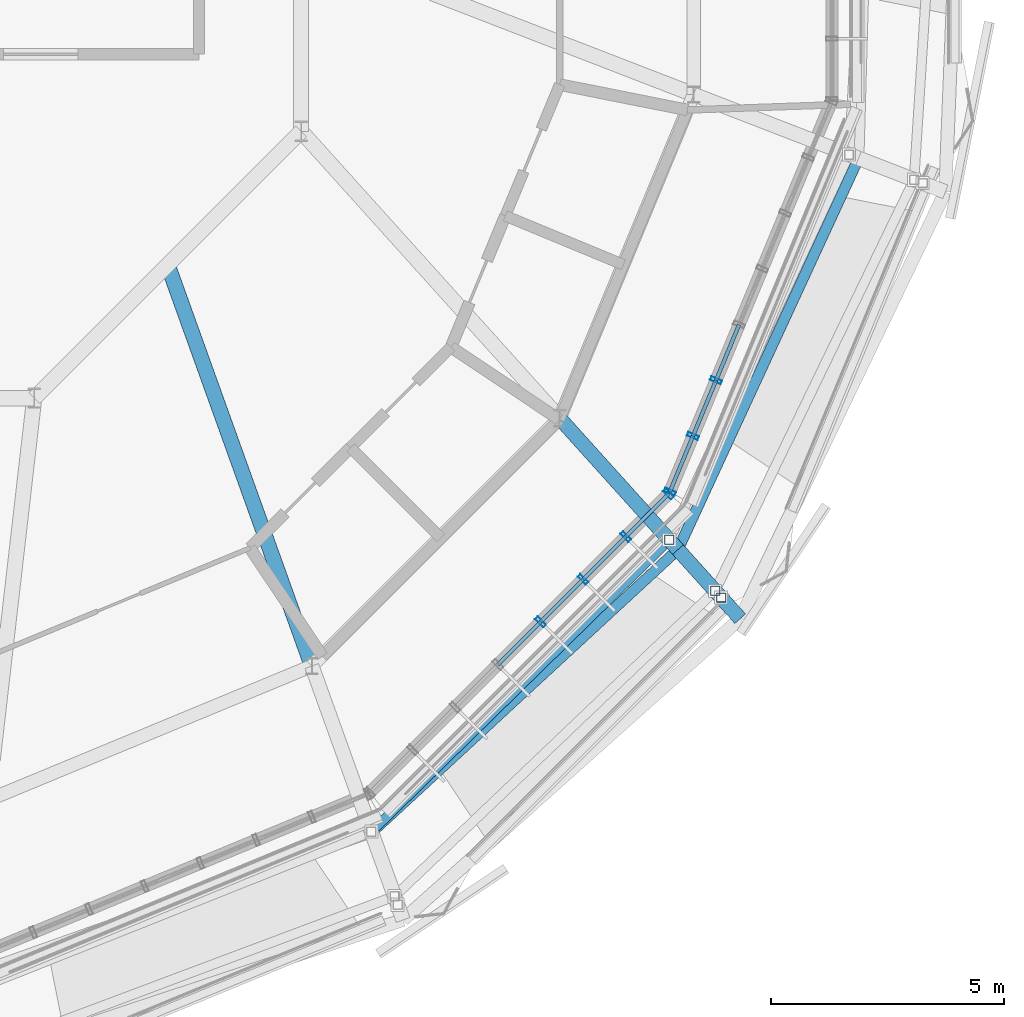
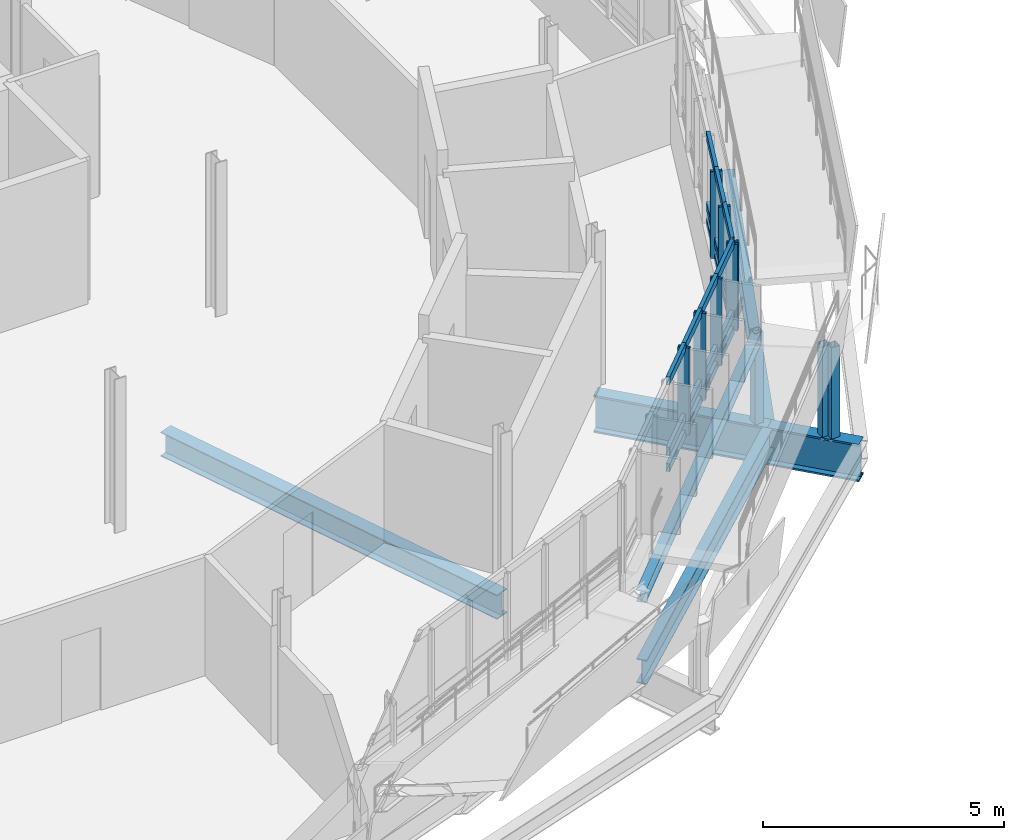
# One storey, part 11 of 38: 31 members, 6 beams, 2 elements without a shape of their own.
"""IFC4 building model written with IfcOpenShell, lengths in metres."""

from ifc_helpers import new_model, si_unit, derived_unit, direction, frame, origin, origin_2d, place, context, subcontext, project, spatial, hollow_rectangle, i_section, extrude, material, layer, layer_set, material_profile, profile_set, type_object, element, aggregate, save


model = new_model("IFC4")

# Units and contexts
model_context = context("Model", 3, precision=1e-05, world=origin(), true_north=direction((0.0, 1.0)))
body_context = subcontext(model_context, "Body", "Model", "MODEL_VIEW")
ifc_project = project(units=[si_unit("LENGTHUNIT", "METRE"), si_unit("AREAUNIT", "SQUARE_METRE"), si_unit("VOLUMEUNIT", "CUBIC_METRE"), si_unit("PLANEANGLEUNIT", "RADIAN"), si_unit("MASSUNIT", "GRAM", prefix="KILO"), derived_unit("THERMALTRANSMITTANCEUNIT", [(si_unit("MASSUNIT", "GRAM", prefix="KILO"), 1), (si_unit("TIMEUNIT", "SECOND"), -3), (si_unit("THERMODYNAMICTEMPERATUREUNIT", "KELVIN"), -1)])], contexts=[model_context])

# Site, building, storey
site_placement = place(None, origin())
site = spatial("IfcSite", under=ifc_project, at=site_placement, CompositionType="ELEMENT")
building_placement = place(site_placement, origin())
building = spatial("IfcBuilding", under=site, at=building_placement, Name="Makaiwela Harbour Ferry Terminal", CompositionType="ELEMENT")
storey_placement = place(building_placement, frame((0.0, 0.0, 17.699951171875)))
storey = spatial("IfcBuildingStorey", under=building, at=storey_placement, Name="L04", CompositionType="ELEMENT", Elevation=17.699951171875)

# Curtain wall, members
ifc_material_1 = material(Name="Marine anodised aluminium 6063-T6", Category="aluminium")
ifc_layer = layer(ifc_material_1, 0.199951171875)
ifc_layer_set = layer_set([ifc_layer], Name="Marine anodised aluminium 6063-T6")
curtain_wall_type = type_object("IfcCurtainWallType", Name="ENV-CW-06", PredefinedType="USERDEFINED", material=ifc_layer_set)
curtain_wall_1_placement = place(storey_placement, origin())
curtain_wall_1 = element("IfcCurtainWall", 1, at=curtain_wall_1_placement, inside=storey, type_object=curtain_wall_type, Name="Unitised Curtain Wall CWA-055", ObjectType="UNITIZED CURTAIN WALL", PredefinedType="USERDEFINED")
ifc_material_profile_1 = material_profile(ifc_material_1, hollow_rectangle(XDim=0.0849609375, YDim=0.25, WallThickness=0.0048828125, at=origin_2d()), Name="CWM-250X85")
ifc_profile_set_1 = profile_set([ifc_material_profile_1], Name="Marine anodised aluminium 6063-T6")
member_type_1 = type_object("IfcMemberType", Name="CW-MUL-250", PredefinedType="MULLION", material=ifc_profile_set_1)
member_1_placement = place(storey_placement, frame((52.736572265625, 52.999755859375, 1.47998046875), z_axis=(0.0, 0.0, 1.0), x_axis=(0.707106781187, 0.707106781187, 0.0)))
member_1 = element("IfcMember", 2, at=member_1_placement, type_object=member_type_1, Name="Curtain Wall Mullion CWA-055-5", PredefinedType="MULLION", context=body_context, shape_type="SweptSolid", body=[
    extrude(hollow_rectangle(XDim=0.0849609375, YDim=0.25, WallThickness=0.0048828125, at=origin_2d()), origin(), (0.0, 0.0, 1.0), 2.199951171875),
])
member_2_placement = place(storey_placement, frame((53.652587890625, 53.916015625, 1.47998046875), z_axis=(0.0, 0.0, 1.0), x_axis=(0.707106781187, 0.707106781187, 0.0)))
member_2 = element("IfcMember", 3, at=member_2_placement, type_object=member_type_1, Name="Curtain Wall Mullion CWA-055-6", PredefinedType="MULLION", context=body_context, shape_type="SweptSolid", body=[
    extrude(hollow_rectangle(XDim=0.0849609375, YDim=0.25, WallThickness=0.0048828125, at=origin_2d()), origin(), (0.0, 0.0, 1.0), 2.199951171875),
])
member_3_placement = place(storey_placement, frame((54.569091796875, 54.832275390625, 1.47998046875), z_axis=(0.0, 0.0, 1.0), x_axis=(0.707106781187, 0.707106781187, 0.0)))
member_3 = element("IfcMember", 4, at=member_3_placement, type_object=member_type_1, Name="Curtain Wall Mullion CWA-055-7", PredefinedType="MULLION", context=body_context, shape_type="SweptSolid", body=[
    extrude(hollow_rectangle(XDim=0.0849609375, YDim=0.25, WallThickness=0.0048828125, at=origin_2d()), origin(), (0.0, 0.0, 1.0), 2.199951171875),
])
member_4_placement = place(storey_placement, frame((55.485107421875, 55.74853515625, 1.47998046875), z_axis=(0.0, 0.0, 1.0), x_axis=(0.707106781187, 0.707106781187, 0.0)))
member_4 = element("IfcMember", 5, at=member_4_placement, type_object=member_type_1, Name="Curtain Wall Mullion CWA-055-8", PredefinedType="MULLION", context=body_context, shape_type="SweptSolid", body=[
    extrude(hollow_rectangle(XDim=0.0849609375, YDim=0.25, WallThickness=0.0048828125, at=origin_2d()), origin(), (0.0, 0.0, 1.0), 2.199951171875),
])

curtain_wall_2_placement = place(storey_placement, origin())
curtain_wall_2 = element("IfcCurtainWall", 6, at=curtain_wall_2_placement, inside=storey, type_object=curtain_wall_type, Name="Unitised Curtain Wall CWA-056", ObjectType="UNITIZED CURTAIN WALL", PredefinedType="USERDEFINED")
member_5_placement = place(storey_placement, frame((55.517822265625, 55.79736328125, 1.47998046875), z_axis=(0.0, 0.0, 1.0), x_axis=(0.382683432365, 0.923879532511, 0.0)))
member_5 = element("IfcMember", 7, at=member_5_placement, type_object=member_type_1, Name="Curtain Wall Mullion CWA-056-1", PredefinedType="MULLION", context=body_context, shape_type="SweptSolid", body=[
    extrude(hollow_rectangle(XDim=0.0849609375, YDim=0.25, WallThickness=0.0048828125, at=origin_2d()), origin(), (0.0, 0.0, 1.0), 2.199951171875),
])
member_6_placement = place(storey_placement, frame((56.013916015625, 56.994384765625, 1.47998046875), z_axis=(0.0, 0.0, 1.0), x_axis=(0.382683432365, 0.923879532511, 0.0)))
member_6 = element("IfcMember", 8, at=member_6_placement, type_object=member_type_1, Name="Curtain Wall Mullion CWA-056-2", PredefinedType="MULLION", context=body_context, shape_type="SweptSolid", body=[
    extrude(hollow_rectangle(XDim=0.0849609375, YDim=0.25, WallThickness=0.0048828125, at=origin_2d()), origin(), (0.0, 0.0, 1.0), 2.199951171875),
])
member_7_placement = place(storey_placement, frame((56.509521484375, 58.191650390625, 1.47998046875), z_axis=(0.0, 0.0, 1.0), x_axis=(0.382683432365, 0.923879532511, 0.0)))
member_7 = element("IfcMember", 9, at=member_7_placement, type_object=member_type_1, Name="Curtain Wall Mullion CWA-056-3", PredefinedType="MULLION", context=body_context, shape_type="SweptSolid", body=[
    extrude(hollow_rectangle(XDim=0.0849609375, YDim=0.25, WallThickness=0.0048828125, at=origin_2d()), origin(), (0.0, 0.0, 1.0), 2.199951171875),
])

# Member
ifc_material_profile_2 = material_profile(ifc_material_1, hollow_rectangle(XDim=0.0849609375, YDim=0.199951171875, WallThickness=0.0048828125, at=origin_2d()), Name="CWT-200X85")
ifc_profile_set_2 = profile_set([ifc_material_profile_2], Name="Marine anodised aluminium 6063-T6")
member_type_2 = type_object("IfcMemberType", Name="CW-TRN-200", PredefinedType="USERDEFINED", material=ifc_profile_set_2)
member_8_placement = place(storey_placement, frame((51.8203125, 52.08349609375, 1.47998046875), z_axis=(0.707106781187, 0.707106781187, 0.0), x_axis=(-0.707106781187, 0.707106781187, 0.0)))
member_8 = element("IfcMember", 10, at=member_8_placement, type_object=member_type_2, Name="Curtain Wall Transom CWA-055-4-1", ObjectType="TRANSOM", PredefinedType="USERDEFINED", context=body_context, shape_type="SweptSolid", body=[
    extrude(hollow_rectangle(XDim=0.0849609375, YDim=0.199951171875, WallThickness=0.0048828125, at=origin_2d()), origin(), (0.0, 0.0, 1.0), 1.2958984375),
])

member_9_placement = place(storey_placement, frame((51.8203125, 52.08349609375, 1.900146484375), z_axis=(0.707106781187, 0.707106781187, 0.0), x_axis=(-0.707106781187, 0.707106781187, 0.0)))
member_9 = element("IfcMember", 11, at=member_9_placement, type_object=member_type_2, Name="Curtain Wall Transom CWA-055-4-2", ObjectType="TRANSOM", PredefinedType="USERDEFINED", context=body_context, shape_type="SweptSolid", body=[
    extrude(hollow_rectangle(XDim=0.0849609375, YDim=0.199951171875, WallThickness=0.0048828125, at=origin_2d()), origin(), (0.0, 0.0, 1.0), 1.2958984375),
])

member_10_placement = place(storey_placement, frame((51.8203125, 52.08349609375, 3.679931640625), z_axis=(0.707106781187, 0.707106781187, 0.0), x_axis=(-0.707106781187, 0.707106781187, 0.0)))
member_10 = element("IfcMember", 12, at=member_10_placement, type_object=member_type_2, Name="Curtain Wall Transom CWA-055-4-3", ObjectType="TRANSOM", PredefinedType="USERDEFINED", context=body_context, shape_type="SweptSolid", body=[
    extrude(hollow_rectangle(XDim=0.0849609375, YDim=0.199951171875, WallThickness=0.0048828125, at=origin_2d()), origin(), (0.0, 0.0, 1.0), 1.2958984375),
])

member_11_placement = place(storey_placement, frame((52.736572265625, 52.999755859375, 1.47998046875), z_axis=(0.707012556818, 0.707200993001, 0.0), x_axis=(-0.707200993001, 0.707012556818, 0.0)))
member_11 = element("IfcMember", 13, at=member_11_placement, type_object=member_type_2, Name="Curtain Wall Transom CWA-055-5-1", ObjectType="TRANSOM", PredefinedType="USERDEFINED", context=body_context, shape_type="SweptSolid", body=[
    extrude(hollow_rectangle(XDim=0.0849609375, YDim=0.199951171875, WallThickness=0.0048828125, at=origin_2d()), origin(), (0.0, 0.0, 1.0), 1.295654296875),
])

member_12_placement = place(storey_placement, frame((52.736572265625, 52.999755859375, 1.900146484375), z_axis=(0.707012556818, 0.707200993001, 0.0), x_axis=(-0.707200993001, 0.707012556818, 0.0)))
member_12 = element("IfcMember", 14, at=member_12_placement, type_object=member_type_2, Name="Curtain Wall Transom CWA-055-5-2", ObjectType="TRANSOM", PredefinedType="USERDEFINED", context=body_context, shape_type="SweptSolid", body=[
    extrude(hollow_rectangle(XDim=0.0849609375, YDim=0.199951171875, WallThickness=0.0048828125, at=origin_2d()), origin(), (0.0, 0.0, 1.0), 1.295654296875),
])

member_13_placement = place(storey_placement, frame((52.736572265625, 52.999755859375, 3.679931640625), z_axis=(0.707012556818, 0.707200993001, 0.0), x_axis=(-0.707200993001, 0.707012556818, 0.0)))
member_13 = element("IfcMember", 15, at=member_13_placement, type_object=member_type_2, Name="Curtain Wall Transom CWA-055-5-3", ObjectType="TRANSOM", PredefinedType="USERDEFINED", context=body_context, shape_type="SweptSolid", body=[
    extrude(hollow_rectangle(XDim=0.0849609375, YDim=0.199951171875, WallThickness=0.0048828125, at=origin_2d()), origin(), (0.0, 0.0, 1.0), 1.295654296875),
])

member_14_placement = place(storey_placement, frame((53.652587890625, 53.916015625, 1.47998046875), z_axis=(0.707200967903, 0.707012581923, 0.0), x_axis=(-0.707012581923, 0.707200967903, 0.0)))
member_14 = element("IfcMember", 16, at=member_14_placement, type_object=member_type_2, Name="Curtain Wall Transom CWA-055-6-1", ObjectType="TRANSOM", PredefinedType="USERDEFINED", context=body_context, shape_type="SweptSolid", body=[
    extrude(hollow_rectangle(XDim=0.0849609375, YDim=0.199951171875, WallThickness=0.0048828125, at=origin_2d()), origin(), (0.0, 0.0, 1.0), 1.2958984375),
])

member_15_placement = place(storey_placement, frame((53.652587890625, 53.916015625, 1.900146484375), z_axis=(0.707200967903, 0.707012581923, 0.0), x_axis=(-0.707012581923, 0.707200967903, 0.0)))
member_15 = element("IfcMember", 17, at=member_15_placement, type_object=member_type_2, Name="Curtain Wall Transom CWA-055-6-2", ObjectType="TRANSOM", PredefinedType="USERDEFINED", context=body_context, shape_type="SweptSolid", body=[
    extrude(hollow_rectangle(XDim=0.0849609375, YDim=0.199951171875, WallThickness=0.0048828125, at=origin_2d()), origin(), (0.0, 0.0, 1.0), 1.2958984375),
])

member_16_placement = place(storey_placement, frame((53.652587890625, 53.916015625, 3.679931640625), z_axis=(0.707200967903, 0.707012581923, 0.0), x_axis=(-0.707012581923, 0.707200967903, 0.0)))
member_16 = element("IfcMember", 18, at=member_16_placement, type_object=member_type_2, Name="Curtain Wall Transom CWA-055-6-3", ObjectType="TRANSOM", PredefinedType="USERDEFINED", context=body_context, shape_type="SweptSolid", body=[
    extrude(hollow_rectangle(XDim=0.0849609375, YDim=0.199951171875, WallThickness=0.0048828125, at=origin_2d()), origin(), (0.0, 0.0, 1.0), 1.2958984375),
])

member_17_placement = place(storey_placement, frame((54.569091796875, 54.832275390625, 1.47998046875), z_axis=(0.707012556818, 0.707200993001, 0.0), x_axis=(-0.707200993001, 0.707012556818, 0.0)))
member_17 = element("IfcMember", 19, at=member_17_placement, type_object=member_type_2, Name="Curtain Wall Transom CWA-055-7-1", ObjectType="TRANSOM", PredefinedType="USERDEFINED", context=body_context, shape_type="SweptSolid", body=[
    extrude(hollow_rectangle(XDim=0.0849609375, YDim=0.199951171875, WallThickness=0.0048828125, at=origin_2d()), origin(), (0.0, 0.0, 1.0), 1.295654296875),
])

member_18_placement = place(storey_placement, frame((54.569091796875, 54.832275390625, 1.900146484375), z_axis=(0.707012556818, 0.707200993001, 0.0), x_axis=(-0.707200993001, 0.707012556818, 0.0)))
member_18 = element("IfcMember", 20, at=member_18_placement, type_object=member_type_2, Name="Curtain Wall Transom CWA-055-7-2", ObjectType="TRANSOM", PredefinedType="USERDEFINED", context=body_context, shape_type="SweptSolid", body=[
    extrude(hollow_rectangle(XDim=0.0849609375, YDim=0.199951171875, WallThickness=0.0048828125, at=origin_2d()), origin(), (0.0, 0.0, 1.0), 1.295654296875),
])

member_19_placement = place(storey_placement, frame((54.569091796875, 54.832275390625, 3.679931640625), z_axis=(0.707012556818, 0.707200993001, 0.0), x_axis=(-0.707200993001, 0.707012556818, 0.0)))
member_19 = element("IfcMember", 21, at=member_19_placement, type_object=member_type_2, Name="Curtain Wall Transom CWA-055-7-3", ObjectType="TRANSOM", PredefinedType="USERDEFINED", context=body_context, shape_type="SweptSolid", body=[
    extrude(hollow_rectangle(XDim=0.0849609375, YDim=0.199951171875, WallThickness=0.0048828125, at=origin_2d()), origin(), (0.0, 0.0, 1.0), 1.295654296875),
])

aggregate(curtain_wall_1, [member_1, member_2, member_3, member_4, member_8, member_9, member_10, member_11, member_12, member_13, member_14, member_15, member_16, member_17, member_18, member_19])

member_20_placement = place(storey_placement, frame((55.517822265625, 55.79736328125, 1.47998046875), z_axis=(0.382862084562, 0.92380551211, 0.0), x_axis=(-0.92380551211, 0.382862084562, 0.0)))
member_20 = element("IfcMember", 22, at=member_20_placement, type_object=member_type_2, Name="Curtain Wall Transom CWA-056-1-1", ObjectType="TRANSOM", PredefinedType="USERDEFINED", context=body_context, shape_type="SweptSolid", body=[
    extrude(hollow_rectangle(XDim=0.0849609375, YDim=0.199951171875, WallThickness=0.0048828125, at=origin_2d()), origin(), (0.0, 0.0, 1.0), 1.295654296875),
])

member_21_placement = place(storey_placement, frame((55.517822265625, 55.79736328125, 1.900146484375), z_axis=(0.382862084562, 0.92380551211, 0.0), x_axis=(-0.92380551211, 0.382862084562, 0.0)))
member_21 = element("IfcMember", 23, at=member_21_placement, type_object=member_type_2, Name="Curtain Wall Transom CWA-056-1-2", ObjectType="TRANSOM", PredefinedType="USERDEFINED", context=body_context, shape_type="SweptSolid", body=[
    extrude(hollow_rectangle(XDim=0.0849609375, YDim=0.199951171875, WallThickness=0.0048828125, at=origin_2d()), origin(), (0.0, 0.0, 1.0), 1.295654296875),
])

member_22_placement = place(storey_placement, frame((55.517822265625, 55.79736328125, 3.679931640625), z_axis=(0.382862084562, 0.92380551211, 0.0), x_axis=(-0.92380551211, 0.382862084562, 0.0)))
member_22 = element("IfcMember", 24, at=member_22_placement, type_object=member_type_2, Name="Curtain Wall Transom CWA-056-1-3", ObjectType="TRANSOM", PredefinedType="USERDEFINED", context=body_context, shape_type="SweptSolid", body=[
    extrude(hollow_rectangle(XDim=0.0849609375, YDim=0.199951171875, WallThickness=0.0048828125, at=origin_2d()), origin(), (0.0, 0.0, 1.0), 1.295654296875),
])

member_23_placement = place(storey_placement, frame((56.013916015625, 56.994384765625, 1.47998046875), z_axis=(0.382473826, 0.923966326456, 0.0), x_axis=(-0.923966326456, 0.382473826, 0.0)))
member_23 = element("IfcMember", 25, at=member_23_placement, type_object=member_type_2, Name="Curtain Wall Transom CWA-056-2-1", ObjectType="TRANSOM", PredefinedType="USERDEFINED", context=body_context, shape_type="SweptSolid", body=[
    extrude(hollow_rectangle(XDim=0.0849609375, YDim=0.199951171875, WallThickness=0.0048828125, at=origin_2d()), origin(), (0.0, 0.0, 1.0), 1.2958984375),
])

member_24_placement = place(storey_placement, frame((56.013916015625, 56.994384765625, 1.900146484375), z_axis=(0.382473826, 0.923966326456, 0.0), x_axis=(-0.923966326456, 0.382473826, 0.0)))
member_24 = element("IfcMember", 26, at=member_24_placement, type_object=member_type_2, Name="Curtain Wall Transom CWA-056-2-2", ObjectType="TRANSOM", PredefinedType="USERDEFINED", context=body_context, shape_type="SweptSolid", body=[
    extrude(hollow_rectangle(XDim=0.0849609375, YDim=0.199951171875, WallThickness=0.0048828125, at=origin_2d()), origin(), (0.0, 0.0, 1.0), 1.2958984375),
])

member_25_placement = place(storey_placement, frame((56.013916015625, 56.994384765625, 3.679931640625), z_axis=(0.382473826, 0.923966326456, 0.0), x_axis=(-0.923966326456, 0.382473826, 0.0)))
member_25 = element("IfcMember", 27, at=member_25_placement, type_object=member_type_2, Name="Curtain Wall Transom CWA-056-2-3", ObjectType="TRANSOM", PredefinedType="USERDEFINED", context=body_context, shape_type="SweptSolid", body=[
    extrude(hollow_rectangle(XDim=0.0849609375, YDim=0.199951171875, WallThickness=0.0048828125, at=origin_2d()), origin(), (0.0, 0.0, 1.0), 1.2958984375),
])

member_26_placement = place(storey_placement, frame((56.509521484375, 58.191650390625, 1.47998046875), z_axis=(0.382862084562, 0.92380551211, 0.0), x_axis=(-0.92380551211, 0.382862084562, 0.0)))
member_26 = element("IfcMember", 28, at=member_26_placement, type_object=member_type_2, Name="Curtain Wall Transom CWA-056-3-1", ObjectType="TRANSOM", PredefinedType="USERDEFINED", context=body_context, shape_type="SweptSolid", body=[
    extrude(hollow_rectangle(XDim=0.0849609375, YDim=0.199951171875, WallThickness=0.0048828125, at=origin_2d()), origin(), (0.0, 0.0, 1.0), 1.295654296875),
])

member_27_placement = place(storey_placement, frame((56.509521484375, 58.191650390625, 1.900146484375), z_axis=(0.382862084562, 0.92380551211, 0.0), x_axis=(-0.92380551211, 0.382862084562, 0.0)))
member_27 = element("IfcMember", 29, at=member_27_placement, type_object=member_type_2, Name="Curtain Wall Transom CWA-056-3-2", ObjectType="TRANSOM", PredefinedType="USERDEFINED", context=body_context, shape_type="SweptSolid", body=[
    extrude(hollow_rectangle(XDim=0.0849609375, YDim=0.199951171875, WallThickness=0.0048828125, at=origin_2d()), origin(), (0.0, 0.0, 1.0), 1.295654296875),
])

member_28_placement = place(storey_placement, frame((56.509521484375, 58.191650390625, 3.679931640625), z_axis=(0.382862084562, 0.92380551211, 0.0), x_axis=(-0.92380551211, 0.382862084562, 0.0)))
member_28 = element("IfcMember", 30, at=member_28_placement, type_object=member_type_2, Name="Curtain Wall Transom CWA-056-3-3", ObjectType="TRANSOM", PredefinedType="USERDEFINED", context=body_context, shape_type="SweptSolid", body=[
    extrude(hollow_rectangle(XDim=0.0849609375, YDim=0.199951171875, WallThickness=0.0048828125, at=origin_2d()), origin(), (0.0, 0.0, 1.0), 1.295654296875),
])

aggregate(curtain_wall_2, [member_5, member_6, member_7, member_20, member_21, member_22, member_23, member_24, member_25, member_26, member_27, member_28])

# Beams
ifc_material_2 = material(Name="Steel ASTM A992 Grade 50", Category="steel")
ifc_material_profile_3 = material_profile(ifc_material_2, i_section(OverallWidth=0.324951171875, OverallDepth=0.615966796875, WebThickness=0.013916015625, FlangeThickness=0.021484375, at=origin_2d()), Name="W24X117")
ifc_profile_set_3 = profile_set([ifc_material_profile_3], Name="Steel ASTM A992 Grade 50")
beam_type_1 = type_object("IfcBeamType", Name="STR-GRD-W24X117", PredefinedType="USERDEFINED", material=ifc_profile_set_3)
beam_1_placement = place(storey_placement, frame((44.724853515625, 60.67529296875, -0.56298828125), z_axis=(0.338086262621, -0.941115125278, 0.0), x_axis=(0.941115125278, 0.338086262621, 0.0)))
element("IfcBeam", 31, at=beam_1_placement, inside=storey, type_object=beam_type_1, Name="Drum radial girder 444", ObjectType="GIRDER", PredefinedType="USERDEFINED", context=body_context, shape_type="SweptSolid", body=[
    extrude(i_section(OverallWidth=0.324951171875, OverallDepth=0.615966796875, WebThickness=0.013916015625, FlangeThickness=0.021484375, at=origin_2d()), origin(), (0.0, 0.0, 1.0), 9.162353515625),
])
ifc_material_profile_4 = material_profile(ifc_material_2, i_section(OverallWidth=0.22900390625, OverallDepth=0.612060546875, WebThickness=0.011962890625, FlangeThickness=0.01953125, at=origin_2d()), Name="W24X84")
ifc_profile_set_4 = profile_set([ifc_material_profile_4], Name="Steel ASTM A992 Grade 50")
beam_type_2 = type_object("IfcBeamType", Name="STR-GRD-W24X84", PredefinedType="USERDEFINED", material=ifc_profile_set_4)
beam_2_placement = place(storey_placement, frame((49.107421875, 48.476318359375, -0.56103515625), z_axis=(0.734745985858, 0.678342344444, 0.0), x_axis=(-0.678342344444, 0.734745985858, 0.0)))
element("IfcBeam", 32, at=beam_2_placement, inside=storey, type_object=beam_type_2, Name="Drum overhang tie girder 477", ObjectType="GIRDER", PredefinedType="USERDEFINED", context=body_context, shape_type="SweptSolid", body=[
    extrude(i_section(OverallWidth=0.22900390625, OverallDepth=0.612060546875, WebThickness=0.011962890625, FlangeThickness=0.01953125, at=origin_2d()), origin(), (0.0, 0.0, 1.0), 8.9599609375),
])
beam_3_placement = place(storey_placement, frame((55.690673828125, 54.55419921875, -0.56103515625), z_axis=(0.419171842319, 0.907906915167, 0.0), x_axis=(-0.907906915167, 0.419171842319, 0.0)))
element("IfcBeam", 33, at=beam_3_placement, inside=storey, type_object=beam_type_2, Name="Drum overhang tie girder 478", ObjectType="GIRDER", PredefinedType="USERDEFINED", context=body_context, shape_type="SweptSolid", body=[
    extrude(i_section(OverallWidth=0.22900390625, OverallDepth=0.612060546875, WebThickness=0.011962890625, FlangeThickness=0.01953125, at=origin_2d()), origin(), (0.0, 0.0, 1.0), 9.261962890625),
])
ifc_material_profile_5 = material_profile(ifc_material_2, i_section(OverallWidth=0.31005859375, OverallDepth=0.949951171875, WebThickness=0.0244140625, FlangeThickness=0.0439453125, at=origin_2d()), Name="W36X256")
ifc_profile_set_5 = profile_set([ifc_material_profile_5], Name="Steel ASTM A992 Grade 50")
beam_type_3 = type_object("IfcBeamType", Name="STR-GRD-W36X256", PredefinedType="USERDEFINED", material=ifc_profile_set_5)
beam_4_placement = place(storey_placement, frame((53.1474609375, 57.37744140625, -0.72998046875), z_axis=(0.669298341285, -0.742993761988, 0.0), x_axis=(0.742993761988, 0.669298341285, 0.0)))
element("IfcBeam", 34, at=beam_4_placement, inside=storey, type_object=beam_type_3, Name="Drum radial overhang 448", ObjectType="GIRDER", PredefinedType="USERDEFINED", context=body_context, shape_type="SweptSolid", body=[
    extrude(i_section(OverallWidth=0.31005859375, OverallDepth=0.949951171875, WebThickness=0.0244140625, FlangeThickness=0.0439453125, at=origin_2d()), origin(), (0.0, 0.0, 1.0), 3.7998046875),
])
beam_5_placement = place(storey_placement, frame((55.690673828125, 54.55419921875, -0.72998046875), z_axis=(0.669281634804, -0.743008811061, 0.0), x_axis=(0.743008811061, 0.669281634804, 0.0)))
element("IfcBeam", 35, at=beam_5_placement, inside=storey, type_object=beam_type_3, Name="Drum overhang radial girder 449", ObjectType="GIRDER", PredefinedType="USERDEFINED", context=body_context, shape_type="SweptSolid", body=[
    extrude(i_section(OverallWidth=0.31005859375, OverallDepth=0.949951171875, WebThickness=0.0244140625, FlangeThickness=0.0439453125, at=origin_2d()), origin(), (0.0, 0.0, 1.0), 2.0),
])
ifc_material_profile_6 = material_profile(ifc_material_2, i_section(OverallWidth=0.205078125, OverallDepth=0.31005859375, WebThickness=0.009521484375, FlangeThickness=0.016357421875, at=origin_2d()), Name="W12X50")
ifc_profile_set_6 = profile_set([ifc_material_profile_6], Name="Steel ASTM A992 Grade 50")
beam_type_4 = type_object("IfcBeamType", Name="STR-LNT-W12X50", PredefinedType="LINTEL", material=ifc_profile_set_6)
beam_6_placement = place(storey_placement, frame((49.101806640625, 48.491455078125, 1.341552734375), z_axis=(0.713061261628, 0.698350277281, 0.062052617894), x_axis=(-0.699698681016, 0.714438069943, 0.0)))
element("IfcBeam", 36, at=beam_6_placement, inside=storey, type_object=beam_type_4, Name="Coiled Ramp Stringer L04-F4-IN", PredefinedType="LINTEL", context=body_context, shape_type="SweptSolid", body=[
    extrude(i_section(OverallWidth=0.205078125, OverallDepth=0.31005859375, WebThickness=0.009521484375, FlangeThickness=0.016357421875, at=origin_2d()), origin(), (0.0, 0.0, 1.0), 8.978271484375),
])

# Members
ifc_material_3 = material(Name="Steel ASTM A500 Grade C", Category="steel")
ifc_material_profile_7 = material_profile(ifc_material_3, hollow_rectangle(XDim=0.202880859375, YDim=0.202880859375, WallThickness=0.01171875, at=origin_2d()), Name="HSS8X8X1/2")
ifc_profile_set_7 = profile_set([ifc_material_profile_7], Name="Steel ASTM A500 Grade C")
member_type_3 = type_object("IfcMemberType", Name="STR-PST-HSS8", PredefinedType="POST", material=ifc_profile_set_7)
member_29_placement = place(storey_placement, frame((55.50390625, 54.761474609375, -0.27490234375), z_axis=(0.0, 0.0, 1.0), x_axis=(1.0, 0.0, 0.0)))
element("IfcMember", 37, at=member_29_placement, inside=storey, type_object=member_type_3, Name="Exterior Ramp Support Post RP-0107", PredefinedType="POST", context=body_context, shape_type="SweptSolid", body=[
    extrude(hollow_rectangle(XDim=0.202880859375, YDim=0.202880859375, WallThickness=0.01171875, at=origin_2d()), origin(), (0.0, 0.0, 1.0), 2.32861328125),
])
member_30_placement = place(storey_placement, frame((56.48974609375, 53.6669921875, -0.27490234375), z_axis=(0.0, 0.0, 1.0), x_axis=(1.0, 0.0, 0.0)))
element("IfcMember", 38, at=member_30_placement, inside=storey, type_object=member_type_3, Name="Exterior Ramp Support Post RP-0109", PredefinedType="POST", context=body_context, shape_type="SweptSolid", body=[
    extrude(hollow_rectangle(XDim=0.202880859375, YDim=0.202880859375, WallThickness=0.01171875, at=origin_2d()), origin(), (0.0, 0.0, 1.0), 2.325439453125),
])
member_31_placement = place(storey_placement, frame((56.61962890625, 53.522705078125, -0.27490234375), z_axis=(0.0, 0.0, 1.0), x_axis=(1.0, 0.0, 0.0)))
element("IfcMember", 39, at=member_31_placement, inside=storey, type_object=member_type_3, Name="Exterior Ramp Support Post RP-0110", PredefinedType="POST", context=body_context, shape_type="SweptSolid", body=[
    extrude(hollow_rectangle(XDim=0.202880859375, YDim=0.202880859375, WallThickness=0.01171875, at=origin_2d()), origin(), (0.0, 0.0, 1.0), 2.33349609375),
])

save(model, "model.ifc")
